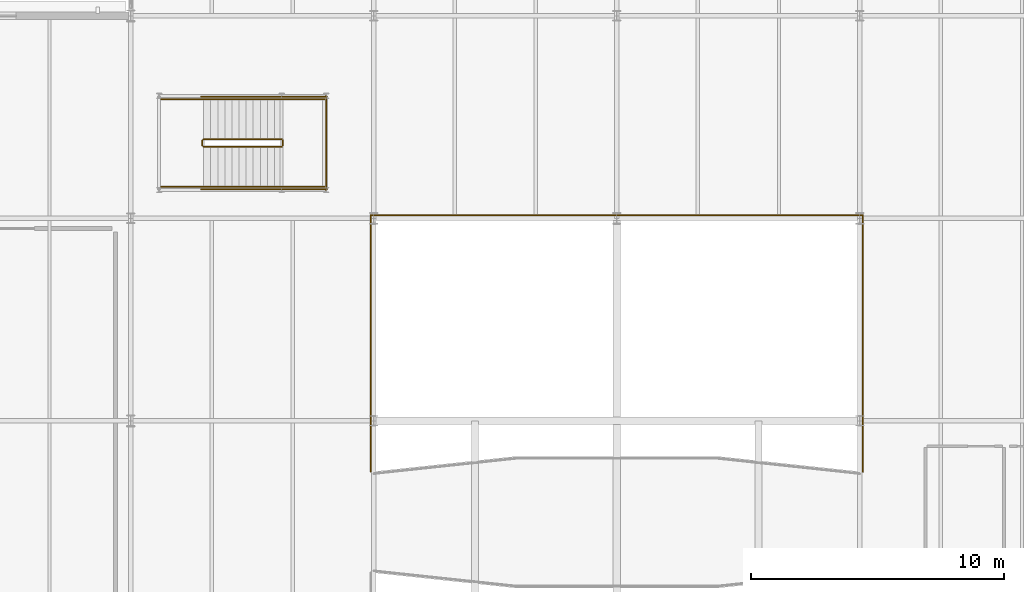
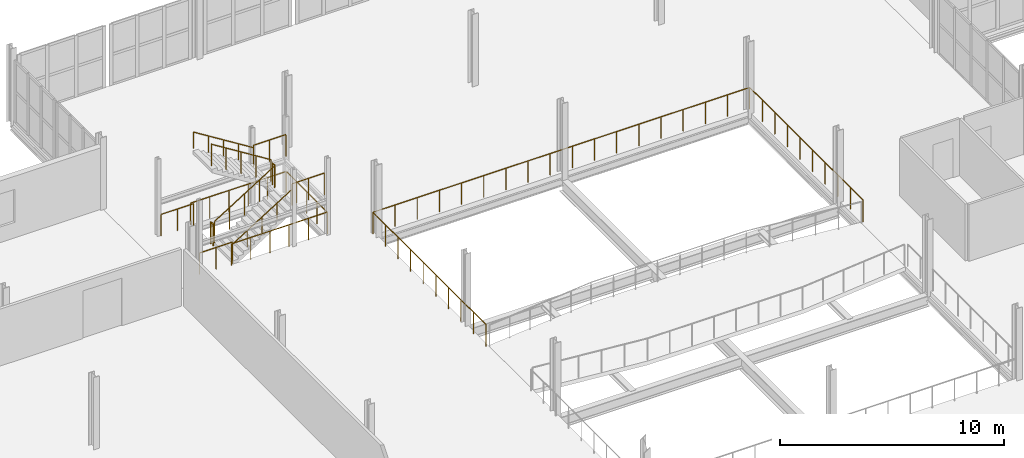
# One storey, part 83 of 85: 16 railings.
"""IFC4 building model written with IfcOpenShell, lengths in metres."""

from ifc_helpers import new_model, si_unit, direction, frame, origin, origin_2d, place, context, subcontext, project, spatial, circle, extrude, material, type_object, element, save


model = new_model("IFC4")

# Units and contexts
model_context = context("Model", 3, precision=1e-05, world=origin(), true_north=direction((0.0, 1.0)))
body_context = subcontext(model_context, "Body", "Model", "MODEL_VIEW")
ifc_project = project(units=[si_unit("LENGTHUNIT", "METRE"), si_unit("AREAUNIT", "SQUARE_METRE"), si_unit("VOLUMEUNIT", "CUBIC_METRE"), si_unit("PLANEANGLEUNIT", "RADIAN"), si_unit("MASSUNIT", "GRAM", prefix="KILO")], contexts=[model_context])

# Site, building, storey
site_placement = place(None, origin())
site = spatial("IfcSite", under=ifc_project, at=site_placement, CompositionType="ELEMENT")
building_placement = place(site_placement, origin())
building = spatial("IfcBuilding", under=site, at=building_placement, Name="Alderhovde Museum", CompositionType="ELEMENT")
storey_placement = place(building_placement, frame((0.0, 0.0, 8.699951171875)))
storey = spatial("IfcBuildingStorey", under=building, at=storey_placement, Name="L02", CompositionType="ELEMENT", Elevation=8.699951171875)

# Railings
ifc_material_1 = material(Name="Painted Steel S355 Guardrail", Category="steel")
railing_type_1 = type_object("IfcRailingType", Name="RL-GUARD-1200", PredefinedType="GUARDRAIL", material=ifc_material_1)
railing_1_placement = place(storey_placement, frame((79.679931640625, 74.830078125, 0.175048828125)))
element("IfcRailing", 1, at=railing_1_placement, inside=storey, type_object=railing_type_1, Name="L02 ST5 stair guard 1", PredefinedType="GUARDRAIL", context=body_context, shape_type="SweptSolid", body=[
    extrude(circle(Radius=0.02392578125, at=origin_2d()), frame((0.0, 0.0, 1.17578125), z_axis=(0.847998304005, 0.0, 0.529998940003), x_axis=(0.0, 1.0, 0.0)), (0.0, 0.0, 1.0), 3.632080078125),
    extrude(circle(Radius=0.02099609375, at=origin_2d()), origin(), (0.0, 0.0, 1.0), 1.15185546875),
    extrude(circle(Radius=0.02099609375, at=origin_2d()), frame((0.77001953125, 0.0, 0.481201171875)), (0.0, 0.0, 1.0), 1.15185546875),
    extrude(circle(Radius=0.02099609375, at=origin_2d()), frame((1.5400390625, 0.0, 0.96240234375)), (0.0, 0.0, 1.0), 1.15185546875),
    extrude(circle(Radius=0.02099609375, at=origin_2d()), frame((2.31005859375, 0.0, 1.44384765625)), (0.0, 0.0, 1.0), 1.15185546875),
    extrude(circle(Radius=0.02099609375, at=origin_2d()), frame((3.080078125, 0.0, 1.925048828125)), (0.0, 0.0, 1.0), 1.15185546875),
])
railing_2_placement = place(storey_placement, frame((82.81005859375, 74.8798828125, 2.10009765625)))
element("IfcRailing", 2, at=railing_2_placement, inside=storey, type_object=railing_type_1, Name="L02 ST5 stair guard 2", PredefinedType="GUARDRAIL", context=body_context, shape_type="SweptSolid", body=[
    extrude(circle(Radius=0.02392578125, at=origin_2d()), frame((0.0, 0.0, 1.17578125), z_axis=(0.0, 1.0, 0.0), x_axis=(-1.0, 0.0, 0.0)), (0.0, 0.0, 1.0), 0.2001953125),
    extrude(circle(Radius=0.02099609375, at=origin_2d()), origin(), (0.0, 0.0, 1.0), 1.15185546875),
    extrude(circle(Radius=0.02099609375, at=origin_2d()), frame((0.0, 0.2001953125, 0.0)), (0.0, 0.0, 1.0), 1.15185546875),
])
for number, where, name in (
    (3, (82.760009765625, 73.25, 2.10009765625), "L02 ST5 stair guard 3"),
    (4, (82.760009765625, 76.7099609375, 2.10009765625), "L02 ST5 stair guard 4"),
):
    element("IfcRailing", number, at=place(storey_placement, frame(where)), inside=storey, type_object=railing_type_1, Name=name, PredefinedType="GUARDRAIL", context=body_context, shape_type="SweptSolid", body=[
        extrude(circle(Radius=0.02392578125, at=origin_2d()), frame((0.0, 0.0, 1.17578125), z_axis=(1.0, 0.0, 0.0), x_axis=(0.0, 1.0, 0.0)), (0.0, 0.0, 1.0), 1.679931640625),
        extrude(circle(Radius=0.02099609375, at=origin_2d()), origin(), (0.0, 0.0, 1.0), 1.15185546875),
        extrude(circle(Radius=0.02099609375, at=origin_2d()), frame((0.83984375, 0.0, 0.0)), (0.0, 0.0, 1.0), 1.15185546875),
        extrude(circle(Radius=0.02099609375, at=origin_2d()), frame((1.679931640625, 0.0, 0.0)), (0.0, 0.0, 1.0), 1.15185546875),
    ])
railing_3_placement = place(storey_placement, frame((82.760009765625, 75.1298828125, 2.275146484375)))
element("IfcRailing", 5, at=railing_3_placement, inside=storey, type_object=railing_type_1, Name="L02 ST5 stair guard 5", PredefinedType="GUARDRAIL", context=body_context, shape_type="SweptSolid", body=[
    extrude(circle(Radius=0.02392578125, at=origin_2d()), frame((0.0, 0.0, 1.17578125), z_axis=(-0.848028513186, 0.0, 0.529950602248), x_axis=(0.0, -1.0, 0.0)), (0.0, 0.0, 1.0), 3.632080078125),
    extrude(circle(Radius=0.02099609375, at=origin_2d()), origin(), (0.0, 0.0, 1.0), 1.15185546875),
    extrude(circle(Radius=0.02099609375, at=origin_2d()), frame((-0.77001953125, 0.0, 0.481201171875)), (0.0, 0.0, 1.0), 1.15185546875),
    extrude(circle(Radius=0.02099609375, at=origin_2d()), frame((-1.5400390625, 0.0, 0.96240234375)), (0.0, 0.0, 1.0), 1.15185546875),
    extrude(circle(Radius=0.02099609375, at=origin_2d()), frame((-2.31005859375, 0.0, 1.443603515625)), (0.0, 0.0, 1.0), 1.15185546875),
    extrude(circle(Radius=0.02099609375, at=origin_2d()), frame((-3.080078125, 0.0, 1.9248046875)), (0.0, 0.0, 1.0), 1.15185546875),
])
railing_4_placement = place(storey_placement, frame((79.6298828125, 74.8798828125, 0.0)))
element("IfcRailing", 6, at=railing_4_placement, inside=storey, type_object=railing_type_1, Name="L02 ST5 stair guard 6", PredefinedType="GUARDRAIL", context=body_context, shape_type="SweptSolid", body=[
    extrude(circle(Radius=0.02392578125, at=origin_2d()), frame((0.0, 0.0, 1.17578125), z_axis=(0.0, 1.0, 0.0), x_axis=(-1.0, 0.0, 0.0)), (0.0, 0.0, 1.0), 0.2001953125),
    extrude(circle(Radius=0.02099609375, at=origin_2d()), origin(), (0.0, 0.0, 1.0), 1.15185546875),
    extrude(circle(Radius=0.02099609375, at=origin_2d()), frame((0.0, 0.2001953125, 0.0)), (0.0, 0.0, 1.0), 1.15185546875),
])
for number, where, name in (
    (7, (78.0, 73.25, 0.0), "L02 ST5 stair guard 7"),
    (8, (78.0, 76.7099609375, 0.0), "L02 ST5 stair guard 8"),
):
    element("IfcRailing", number, at=place(storey_placement, frame(where)), inside=storey, type_object=railing_type_1, Name=name, PredefinedType="GUARDRAIL", context=body_context, shape_type="SweptSolid", body=[
        extrude(circle(Radius=0.02392578125, at=origin_2d()), frame((0.0, 0.0, 1.17578125), z_axis=(1.0, 0.0, 0.0), x_axis=(0.0, 1.0, 0.0)), (0.0, 0.0, 1.0), 1.679931640625),
        extrude(circle(Radius=0.02099609375, at=origin_2d()), origin(), (0.0, 0.0, 1.0), 1.15185546875),
        extrude(circle(Radius=0.02099609375, at=origin_2d()), frame((0.83984375, 0.0, 0.0)), (0.0, 0.0, 1.0), 1.15185546875),
        extrude(circle(Radius=0.02099609375, at=origin_2d()), frame((1.679931640625, 0.0, 0.0)), (0.0, 0.0, 1.0), 1.15185546875),
    ])
for number, where, name in (
    (9, (79.580078125, 73.14990234375, 0.0), "L02 ST5 stair guard 9"),
    (10, (79.580078125, 76.81005859375, 0.0), "L02 ST5 stair guard 10"),
):
    element("IfcRailing", number, at=place(storey_placement, frame(where)), inside=storey, type_object=railing_type_1, Name=name, PredefinedType="GUARDRAIL", context=body_context, shape_type="SweptSolid", body=[
        extrude(circle(Radius=0.02392578125, at=origin_2d()), frame((0.0, 0.0, 1.17578125), z_axis=(1.0, 0.0, 0.0), x_axis=(0.0, 1.0, 0.0)), (0.0, 0.0, 1.0), 4.9599609375),
        extrude(circle(Radius=0.02099609375, at=origin_2d()), origin(), (0.0, 0.0, 1.0), 1.15185546875),
        extrude(circle(Radius=0.02099609375, at=origin_2d()), frame((0.991943359375, 0.0, 0.0)), (0.0, 0.0, 1.0), 1.15185546875),
        extrude(circle(Radius=0.02099609375, at=origin_2d()), frame((1.98388671875, 0.0, 0.0)), (0.0, 0.0, 1.0), 1.15185546875),
        extrude(circle(Radius=0.02099609375, at=origin_2d()), frame((2.97607421875, 0.0, 0.0)), (0.0, 0.0, 1.0), 1.15185546875),
        extrude(circle(Radius=0.02099609375, at=origin_2d()), frame((3.968017578125, 0.0, 0.0)), (0.0, 0.0, 1.0), 1.15185546875),
        extrude(circle(Radius=0.02099609375, at=origin_2d()), frame((4.9599609375, 0.0, 0.0)), (0.0, 0.0, 1.0), 1.15185546875),
    ])
railing_5_placement = place(storey_placement, frame((86.280029296875, 72.1201171875, 0.0)))
element("IfcRailing", 11, at=railing_5_placement, inside=storey, type_object=railing_type_1, Name="L02 Conservatory Void North Guardrail", PredefinedType="GUARDRAIL", context=body_context, shape_type="SweptSolid", body=[
    extrude(circle(Radius=0.02392578125, at=origin_2d()), frame((0.0, 0.0, 1.17578125), z_axis=(1.0, 0.0, 0.0), x_axis=(0.0, 1.0, 0.0)), (0.0, 0.0, 1.0), 19.43994140625),
    extrude(circle(Radius=0.02099609375, at=origin_2d()), origin(), (0.0, 0.0, 1.0), 1.15185546875),
    extrude(circle(Radius=0.02099609375, at=origin_2d()), frame((1.1435546875, 0.0, 0.0)), (0.0, 0.0, 1.0), 1.15185546875),
    extrude(circle(Radius=0.02099609375, at=origin_2d()), frame((2.287109375, 0.0, 0.0)), (0.0, 0.0, 1.0), 1.15185546875),
    extrude(circle(Radius=0.02099609375, at=origin_2d()), frame((3.4306640625, 0.0, 0.0)), (0.0, 0.0, 1.0), 1.15185546875),
    extrude(circle(Radius=0.02099609375, at=origin_2d()), frame((4.57421875, 0.0, 0.0)), (0.0, 0.0, 1.0), 1.15185546875),
    extrude(circle(Radius=0.02099609375, at=origin_2d()), frame((5.717529296875, 0.0, 0.0)), (0.0, 0.0, 1.0), 1.15185546875),
    extrude(circle(Radius=0.02099609375, at=origin_2d()), frame((6.861083984375, 0.0, 0.0)), (0.0, 0.0, 1.0), 1.15185546875),
    extrude(circle(Radius=0.02099609375, at=origin_2d()), frame((8.004638671875, 0.0, 0.0)), (0.0, 0.0, 1.0), 1.15185546875),
    extrude(circle(Radius=0.02099609375, at=origin_2d()), frame((9.148193359375, 0.0, 0.0)), (0.0, 0.0, 1.0), 1.15185546875),
    extrude(circle(Radius=0.02099609375, at=origin_2d()), frame((10.291748046875, 0.0, 0.0)), (0.0, 0.0, 1.0), 1.15185546875),
    extrude(circle(Radius=0.02099609375, at=origin_2d()), frame((11.435302734375, 0.0, 0.0)), (0.0, 0.0, 1.0), 1.15185546875),
    extrude(circle(Radius=0.02099609375, at=origin_2d()), frame((12.578857421875, 0.0, 0.0)), (0.0, 0.0, 1.0), 1.15185546875),
    extrude(circle(Radius=0.02099609375, at=origin_2d()), frame((13.722412109375, 0.0, 0.0)), (0.0, 0.0, 1.0), 1.15185546875),
    extrude(circle(Radius=0.02099609375, at=origin_2d()), frame((14.86572265625, 0.0, 0.0)), (0.0, 0.0, 1.0), 1.15185546875),
    extrude(circle(Radius=0.02099609375, at=origin_2d()), frame((16.00927734375, 0.0, 0.0)), (0.0, 0.0, 1.0), 1.15185546875),
    extrude(circle(Radius=0.02099609375, at=origin_2d()), frame((17.15283203125, 0.0, 0.0)), (0.0, 0.0, 1.0), 1.15185546875),
    extrude(circle(Radius=0.02099609375, at=origin_2d()), frame((18.29638671875, 0.0, 0.0)), (0.0, 0.0, 1.0), 1.15185546875),
    extrude(circle(Radius=0.02099609375, at=origin_2d()), frame((19.43994140625, 0.0, 0.0)), (0.0, 0.0, 1.0), 1.15185546875),
])
for number, where, name in (
    (12, (86.280029296875, 62.0, 0.0), "L02 Conservatory Void West Guardrail N"),
    (13, (105.719970703125, 62.0, 0.0), "L02 Conservatory Void East Guardrail N"),
):
    element("IfcRailing", number, at=place(storey_placement, frame(where)), inside=storey, type_object=railing_type_1, Name=name, PredefinedType="GUARDRAIL", context=body_context, shape_type="SweptSolid", body=[
        extrude(circle(Radius=0.02392578125, at=origin_2d()), frame((0.0, 0.0, 1.17578125), z_axis=(0.0, 1.0, 0.0), x_axis=(-1.0, 0.0, 0.0)), (0.0, 0.0, 1.0), 10.1201171875),
        extrude(circle(Radius=0.02099609375, at=origin_2d()), origin(), (0.0, 0.0, 1.0), 1.15185546875),
        extrude(circle(Radius=0.02099609375, at=origin_2d()), frame((0.0, 1.12451171875, 0.0)), (0.0, 0.0, 1.0), 1.15185546875),
        extrude(circle(Radius=0.02099609375, at=origin_2d()), frame((0.0, 2.2490234375, 0.0)), (0.0, 0.0, 1.0), 1.15185546875),
        extrude(circle(Radius=0.02099609375, at=origin_2d()), frame((0.0, 3.373291015625, 0.0)), (0.0, 0.0, 1.0), 1.15185546875),
        extrude(circle(Radius=0.02099609375, at=origin_2d()), frame((0.0, 4.497802734375, 0.0)), (0.0, 0.0, 1.0), 1.15185546875),
        extrude(circle(Radius=0.02099609375, at=origin_2d()), frame((0.0, 5.622314453125, 0.0)), (0.0, 0.0, 1.0), 1.15185546875),
        extrude(circle(Radius=0.02099609375, at=origin_2d()), frame((0.0, 6.746826171875, 0.0)), (0.0, 0.0, 1.0), 1.15185546875),
        extrude(circle(Radius=0.02099609375, at=origin_2d()), frame((0.0, 7.87109375, 0.0)), (0.0, 0.0, 1.0), 1.15185546875),
        extrude(circle(Radius=0.02099609375, at=origin_2d()), frame((0.0, 8.99560546875, 0.0)), (0.0, 0.0, 1.0), 1.15185546875),
        extrude(circle(Radius=0.02099609375, at=origin_2d()), frame((0.0, 10.1201171875, 0.0)), (0.0, 0.0, 1.0), 1.15185546875),
    ])
railing_6_placement = place(storey_placement, frame((84.52001953125, 73.1201171875, 0.0)))
element("IfcRailing", 14, at=railing_6_placement, inside=storey, type_object=railing_type_1, Name="L02 Conservatory Stair ST5 East Well Guardrail", PredefinedType="GUARDRAIL", context=body_context, shape_type="SweptSolid", body=[
    extrude(circle(Radius=0.02392578125, at=origin_2d()), frame((0.0, 0.0, 1.17578125), z_axis=(0.0, 1.0, 0.0), x_axis=(-1.0, 0.0, 0.0)), (0.0, 0.0, 1.0), 3.719970703125),
    extrude(circle(Radius=0.02099609375, at=origin_2d()), origin(), (0.0, 0.0, 1.0), 1.15185546875),
    extrude(circle(Radius=0.02099609375, at=origin_2d()), frame((0.0, 0.929931640625, 0.0)), (0.0, 0.0, 1.0), 1.15185546875),
    extrude(circle(Radius=0.02099609375, at=origin_2d()), frame((0.0, 1.85986328125, 0.0)), (0.0, 0.0, 1.0), 1.15185546875),
    extrude(circle(Radius=0.02099609375, at=origin_2d()), frame((0.0, 2.7900390625, 0.0)), (0.0, 0.0, 1.0), 1.15185546875),
    extrude(circle(Radius=0.02099609375, at=origin_2d()), frame((0.0, 3.719970703125, 0.0)), (0.0, 0.0, 1.0), 1.15185546875),
])
ifc_material_2 = material(Name="Brushed Stainless Steel Handrail", Category="steel")
railing_type_2 = type_object("IfcRailingType", Name="RL-HANDRAIL-900", PredefinedType="HANDRAIL", material=ifc_material_2)
railing_7_placement = place(storey_placement, frame((79.679931640625, 73.25, 0.175048828125)))
element("IfcRailing", 15, at=railing_7_placement, inside=storey, type_object=railing_type_2, Name="L02 ST5 stair handrail 1", PredefinedType="HANDRAIL", context=body_context, shape_type="SweptSolid", body=[
    extrude(circle(Radius=0.02392578125, at=origin_2d()), frame((0.0, 0.0, 0.8759765625), z_axis=(0.847998304005, 0.0, 0.529998940003), x_axis=(0.0, 1.0, 0.0)), (0.0, 0.0, 1.0), 3.632080078125),
    extrude(circle(Radius=0.02099609375, at=origin_2d()), origin(), (0.0, 0.0, 1.0), 0.851806640625),
    extrude(circle(Radius=0.02099609375, at=origin_2d()), frame((0.77001953125, 0.0, 0.481201171875)), (0.0, 0.0, 1.0), 0.851806640625),
    extrude(circle(Radius=0.02099609375, at=origin_2d()), frame((1.5400390625, 0.0, 0.96240234375)), (0.0, 0.0, 1.0), 0.851806640625),
    extrude(circle(Radius=0.02099609375, at=origin_2d()), frame((2.31005859375, 0.0, 1.44384765625)), (0.0, 0.0, 1.0), 0.851806640625),
    extrude(circle(Radius=0.02099609375, at=origin_2d()), frame((3.080078125, 0.0, 1.925048828125)), (0.0, 0.0, 1.0), 0.851806640625),
])
railing_8_placement = place(storey_placement, frame((82.760009765625, 76.7099609375, 2.275146484375)))
element("IfcRailing", 16, at=railing_8_placement, inside=storey, type_object=railing_type_2, Name="L02 ST5 stair handrail 2", PredefinedType="HANDRAIL", context=body_context, shape_type="SweptSolid", body=[
    extrude(circle(Radius=0.02392578125, at=origin_2d()), frame((0.0, 0.0, 0.8759765625), z_axis=(-0.848028513186, 0.0, 0.529950602248), x_axis=(0.0, -1.0, 0.0)), (0.0, 0.0, 1.0), 3.632080078125),
    extrude(circle(Radius=0.02099609375, at=origin_2d()), origin(), (0.0, 0.0, 1.0), 0.851806640625),
    extrude(circle(Radius=0.02099609375, at=origin_2d()), frame((-0.77001953125, 0.0, 0.481201171875)), (0.0, 0.0, 1.0), 0.851806640625),
    extrude(circle(Radius=0.02099609375, at=origin_2d()), frame((-1.5400390625, 0.0, 0.96240234375)), (0.0, 0.0, 1.0), 0.851806640625),
    extrude(circle(Radius=0.02099609375, at=origin_2d()), frame((-2.31005859375, 0.0, 1.443603515625)), (0.0, 0.0, 1.0), 0.851806640625),
    extrude(circle(Radius=0.02099609375, at=origin_2d()), frame((-3.080078125, 0.0, 1.9248046875)), (0.0, 0.0, 1.0), 0.851806640625),
])

save(model, "model.ifc")
